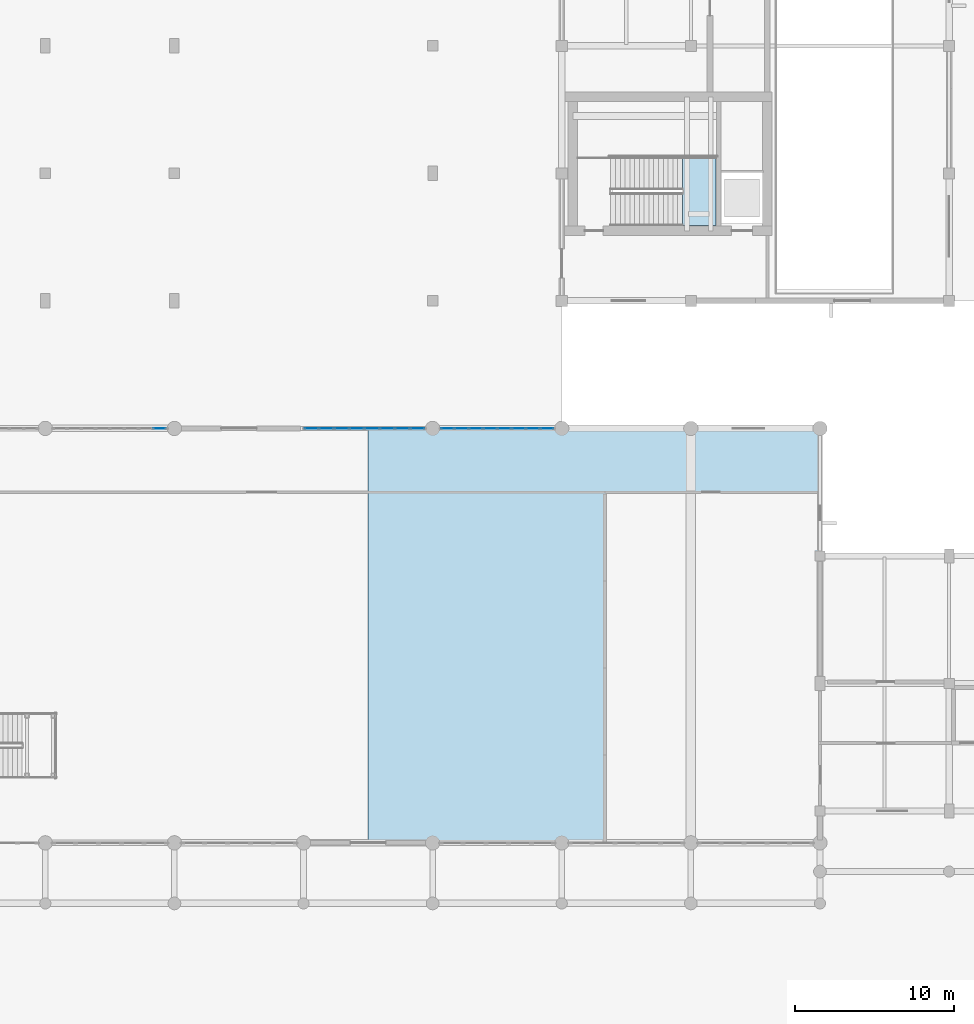
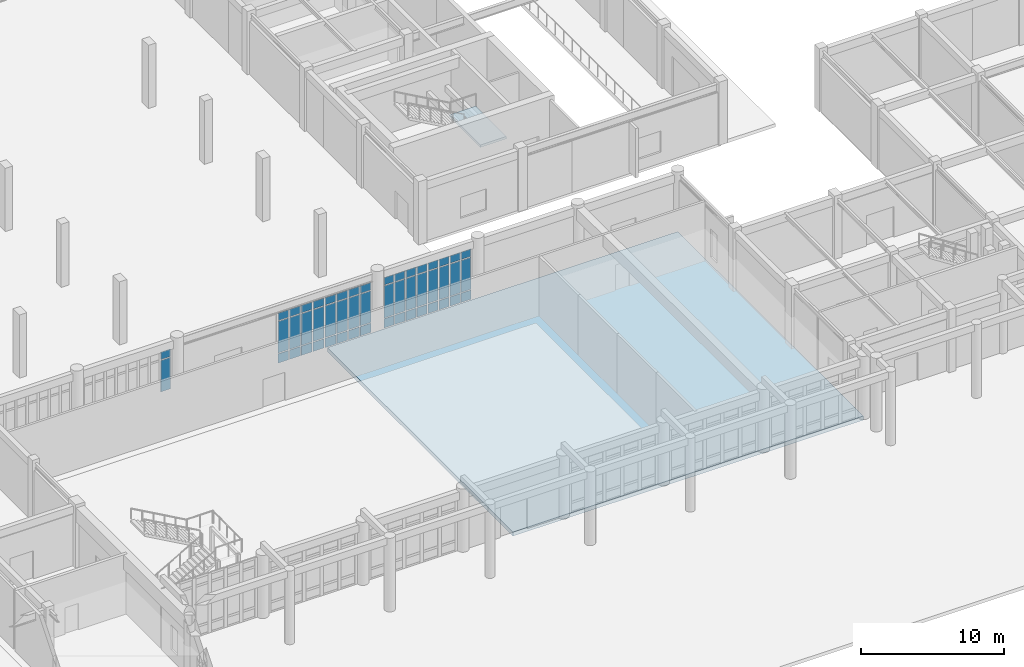
# One storey, part 33 of 62: 50 plates, 2 slabs, 4 elements without a shape of their own.
"""IFC4 building model written with IfcOpenShell, lengths in metres."""

from ifc_helpers import new_model, si_unit, direction, frame, origin, origin_2d, place, context, subcontext, project, spatial, polyline, rectangle, outline, extrude, material, layer, layer_set, type_object, element, aggregate, save


model = new_model("IFC4")

# Units and contexts
model_context = context("Model", 3, precision=1e-05, world=origin(), true_north=direction((0.0, 1.0)))
body_context = subcontext(model_context, "Body", "Model", "MODEL_VIEW")
ifc_project = project(units=[si_unit("LENGTHUNIT", "METRE"), si_unit("AREAUNIT", "SQUARE_METRE"), si_unit("VOLUMEUNIT", "CUBIC_METRE"), si_unit("PLANEANGLEUNIT", "RADIAN"), si_unit("MASSUNIT", "GRAM", prefix="KILO")], contexts=[model_context])

# Site, building, storey
site_placement = place(None, origin())
site = spatial("IfcSite", under=ifc_project, at=site_placement, CompositionType="ELEMENT")
building_placement = place(site_placement, origin())
building = spatial("IfcBuilding", under=site, at=building_placement, Name="Tarnveldt Square Police Headquarters", CompositionType="ELEMENT")
storey_placement = place(building_placement, origin())
storey = spatial("IfcBuildingStorey", under=building, at=storey_placement, Name="L00", CompositionType="ELEMENT", Elevation=0.0)

# Curtain wall, plates
ifc_material_1 = material(Name="Triple-glazed low-e laminated vision glass", Category="glass")
curtain_wall_type_1 = type_object("IfcCurtainWallType", Name="CW-CT-717x441", PredefinedType="USERDEFINED", material=ifc_material_1)
curtain_wall_1_placement = place(storey_placement, origin())
curtain_wall_1 = element("IfcCurtainWall", 1, at=curtain_wall_1_placement, inside=storey, type_object=curtain_wall_type_1, Name="L00 Curtain Wall CW-L00-015", ObjectType="GLAZED CURTAIN WALL", PredefinedType="USERDEFINED")
ifc_layer_1 = layer(ifc_material_1, 0.028076171875)
ifc_layer_set_1 = layer_set([ifc_layer_1], Name="Triple-glazed low-e laminated vision glass")
plate_type = type_object("IfcPlateType", Name="CWP-VIS-28", PredefinedType="CURTAIN_PANEL", material=ifc_layer_set_1)
plate_1_placement = place(storey_placement, frame((80.068115234375, 48.0, 0.9375), z_axis=(0.0, 0.0, 1.0), x_axis=(1.0, 0.0, 0.0)))
plate_1 = element("IfcPlate", 2, at=plate_1_placement, type_object=plate_type, Name="CW-CT07 panel 8.2", PredefinedType="CURTAIN_PANEL", context=body_context, shape_type="SweptSolid", body=[
    extrude(rectangle(XDim=0.78369140625, YDim=0.028076171875, at=origin_2d()), origin(), (0.0, 0.0, 1.0), 2.68701171875),
])
plate_2_placement = place(storey_placement, frame((80.068115234375, 48.0, 3.69970703125), z_axis=(0.0, 0.0, 1.0), x_axis=(1.0, 0.0, 0.0)))
plate_2 = element("IfcPlate", 3, at=plate_2_placement, type_object=plate_type, Name="CW-CT07 panel 8.3", PredefinedType="CURTAIN_PANEL", context=body_context, shape_type="SweptSolid", body=[
    extrude(rectangle(XDim=0.78369140625, YDim=0.028076171875, at=origin_2d()), origin(), (0.0, 0.0, 1.0), 0.637451171875),
])
aggregate(curtain_wall_1, [plate_1, plate_2])

curtain_wall_type_2 = type_object("IfcCurtainWallType", Name="CW-CT-764x442", PredefinedType="USERDEFINED", material=ifc_material_1)
curtain_wall_2_placement = place(storey_placement, origin())
curtain_wall_2 = element("IfcCurtainWall", 4, at=curtain_wall_2_placement, inside=storey, type_object=curtain_wall_type_2, Name="L00 Curtain Wall CW-L00-016", ObjectType="GLAZED CURTAIN WALL", PredefinedType="USERDEFINED")
plate_3_placement = place(storey_placement, frame((89.595947265625, 48.0, 0.074951171875), z_axis=(0.0, 0.0, 1.0), x_axis=(1.0, 0.0, 0.0)))
plate_3 = element("IfcPlate", 5, at=plate_3_placement, type_object=plate_type, Name="CW-CT08 panel 1.1", PredefinedType="CURTAIN_PANEL", context=body_context, shape_type="SweptSolid", body=[
    extrude(rectangle(XDim=0.841796875, YDim=0.028076171875, at=origin_2d()), origin(), (0.0, 0.0, 1.0), 0.78759765625),
])
plate_4_placement = place(storey_placement, frame((89.595947265625, 48.0, 0.9375), z_axis=(0.0, 0.0, 1.0), x_axis=(1.0, 0.0, 0.0)))
plate_4 = element("IfcPlate", 6, at=plate_4_placement, type_object=plate_type, Name="CW-CT08 panel 1.2", PredefinedType="CURTAIN_PANEL", context=body_context, shape_type="SweptSolid", body=[
    extrude(rectangle(XDim=0.841796875, YDim=0.028076171875, at=origin_2d()), origin(), (0.0, 0.0, 1.0), 2.698974609375),
])
plate_5_placement = place(storey_placement, frame((89.595947265625, 48.0, 3.71142578125), z_axis=(0.0, 0.0, 1.0), x_axis=(1.0, 0.0, 0.0)))
plate_5 = element("IfcPlate", 7, at=plate_5_placement, type_object=plate_type, Name="CW-CT08 panel 1.3", PredefinedType="CURTAIN_PANEL", context=body_context, shape_type="SweptSolid", body=[
    extrude(rectangle(XDim=0.841796875, YDim=0.028076171875, at=origin_2d()), origin(), (0.0, 0.0, 1.0), 0.637451171875),
])
plate_6_placement = place(storey_placement, frame((90.531494140625, 48.0, 0.074951171875), z_axis=(0.0, 0.0, 1.0), x_axis=(1.0, 0.0, 0.0)))
plate_6 = element("IfcPlate", 8, at=plate_6_placement, type_object=plate_type, Name="CW-CT08 panel 2.1", PredefinedType="CURTAIN_PANEL", context=body_context, shape_type="SweptSolid", body=[
    extrude(rectangle(XDim=0.87939453125, YDim=0.028076171875, at=origin_2d()), origin(), (0.0, 0.0, 1.0), 0.78759765625),
])
plate_7_placement = place(storey_placement, frame((90.531494140625, 48.0, 0.9375), z_axis=(0.0, 0.0, 1.0), x_axis=(1.0, 0.0, 0.0)))
plate_7 = element("IfcPlate", 9, at=plate_7_placement, type_object=plate_type, Name="CW-CT08 panel 2.2", PredefinedType="CURTAIN_PANEL", context=body_context, shape_type="SweptSolid", body=[
    extrude(rectangle(XDim=0.87939453125, YDim=0.028076171875, at=origin_2d()), origin(), (0.0, 0.0, 1.0), 2.698974609375),
])
plate_8_placement = place(storey_placement, frame((90.531494140625, 48.0, 3.71142578125), z_axis=(0.0, 0.0, 1.0), x_axis=(1.0, 0.0, 0.0)))
plate_8 = element("IfcPlate", 10, at=plate_8_placement, type_object=plate_type, Name="CW-CT08 panel 2.3", PredefinedType="CURTAIN_PANEL", context=body_context, shape_type="SweptSolid", body=[
    extrude(rectangle(XDim=0.87939453125, YDim=0.028076171875, at=origin_2d()), origin(), (0.0, 0.0, 1.0), 0.637451171875),
])
plate_9_placement = place(storey_placement, frame((91.48583984375, 48.0, 0.074951171875), z_axis=(0.0, 0.0, 1.0), x_axis=(1.0, 0.0, 0.0)))
plate_9 = element("IfcPlate", 11, at=plate_9_placement, type_object=plate_type, Name="CW-CT08 panel 3.1", PredefinedType="CURTAIN_PANEL", context=body_context, shape_type="SweptSolid", body=[
    extrude(rectangle(XDim=0.87939453125, YDim=0.028076171875, at=origin_2d()), origin(), (0.0, 0.0, 1.0), 0.78759765625),
])
plate_10_placement = place(storey_placement, frame((91.48583984375, 48.0, 0.9375), z_axis=(0.0, 0.0, 1.0), x_axis=(1.0, 0.0, 0.0)))
plate_10 = element("IfcPlate", 12, at=plate_10_placement, type_object=plate_type, Name="CW-CT08 panel 3.2", PredefinedType="CURTAIN_PANEL", context=body_context, shape_type="SweptSolid", body=[
    extrude(rectangle(XDim=0.87939453125, YDim=0.028076171875, at=origin_2d()), origin(), (0.0, 0.0, 1.0), 2.698974609375),
])
plate_11_placement = place(storey_placement, frame((91.48583984375, 48.0, 3.71142578125), z_axis=(0.0, 0.0, 1.0), x_axis=(1.0, 0.0, 0.0)))
plate_11 = element("IfcPlate", 13, at=plate_11_placement, type_object=plate_type, Name="CW-CT08 panel 3.3", PredefinedType="CURTAIN_PANEL", context=body_context, shape_type="SweptSolid", body=[
    extrude(rectangle(XDim=0.87939453125, YDim=0.028076171875, at=origin_2d()), origin(), (0.0, 0.0, 1.0), 0.637451171875),
])
plate_12_placement = place(storey_placement, frame((92.4404296875, 48.0, 0.074951171875), z_axis=(0.0, 0.0, 1.0), x_axis=(1.0, 0.0, 0.0)))
plate_12 = element("IfcPlate", 14, at=plate_12_placement, type_object=plate_type, Name="CW-CT08 panel 4.1", PredefinedType="CURTAIN_PANEL", context=body_context, shape_type="SweptSolid", body=[
    extrude(rectangle(XDim=0.87939453125, YDim=0.028076171875, at=origin_2d()), origin(), (0.0, 0.0, 1.0), 0.78759765625),
])
plate_13_placement = place(storey_placement, frame((92.4404296875, 48.0, 0.9375), z_axis=(0.0, 0.0, 1.0), x_axis=(1.0, 0.0, 0.0)))
plate_13 = element("IfcPlate", 15, at=plate_13_placement, type_object=plate_type, Name="CW-CT08 panel 4.2", PredefinedType="CURTAIN_PANEL", context=body_context, shape_type="SweptSolid", body=[
    extrude(rectangle(XDim=0.87939453125, YDim=0.028076171875, at=origin_2d()), origin(), (0.0, 0.0, 1.0), 2.698974609375),
])
plate_14_placement = place(storey_placement, frame((92.4404296875, 48.0, 3.71142578125), z_axis=(0.0, 0.0, 1.0), x_axis=(1.0, 0.0, 0.0)))
plate_14 = element("IfcPlate", 16, at=plate_14_placement, type_object=plate_type, Name="CW-CT08 panel 4.3", PredefinedType="CURTAIN_PANEL", context=body_context, shape_type="SweptSolid", body=[
    extrude(rectangle(XDim=0.87939453125, YDim=0.028076171875, at=origin_2d()), origin(), (0.0, 0.0, 1.0), 0.637451171875),
])
plate_15_placement = place(storey_placement, frame((93.394775390625, 48.0, 0.074951171875), z_axis=(0.0, 0.0, 1.0), x_axis=(1.0, 0.0, 0.0)))
plate_15 = element("IfcPlate", 17, at=plate_15_placement, type_object=plate_type, Name="CW-CT08 panel 5.1", PredefinedType="CURTAIN_PANEL", context=body_context, shape_type="SweptSolid", body=[
    extrude(rectangle(XDim=0.87939453125, YDim=0.028076171875, at=origin_2d()), origin(), (0.0, 0.0, 1.0), 0.78759765625),
])
plate_16_placement = place(storey_placement, frame((93.394775390625, 48.0, 0.9375), z_axis=(0.0, 0.0, 1.0), x_axis=(1.0, 0.0, 0.0)))
plate_16 = element("IfcPlate", 18, at=plate_16_placement, type_object=plate_type, Name="CW-CT08 panel 5.2", PredefinedType="CURTAIN_PANEL", context=body_context, shape_type="SweptSolid", body=[
    extrude(rectangle(XDim=0.87939453125, YDim=0.028076171875, at=origin_2d()), origin(), (0.0, 0.0, 1.0), 2.698974609375),
])
plate_17_placement = place(storey_placement, frame((93.394775390625, 48.0, 3.71142578125), z_axis=(0.0, 0.0, 1.0), x_axis=(1.0, 0.0, 0.0)))
plate_17 = element("IfcPlate", 19, at=plate_17_placement, type_object=plate_type, Name="CW-CT08 panel 5.3", PredefinedType="CURTAIN_PANEL", context=body_context, shape_type="SweptSolid", body=[
    extrude(rectangle(XDim=0.87939453125, YDim=0.028076171875, at=origin_2d()), origin(), (0.0, 0.0, 1.0), 0.637451171875),
])
plate_18_placement = place(storey_placement, frame((94.34912109375, 48.0, 0.074951171875), z_axis=(0.0, 0.0, 1.0), x_axis=(1.0, 0.0, 0.0)))
plate_18 = element("IfcPlate", 20, at=plate_18_placement, type_object=plate_type, Name="CW-CT08 panel 6.1", PredefinedType="CURTAIN_PANEL", context=body_context, shape_type="SweptSolid", body=[
    extrude(rectangle(XDim=0.87939453125, YDim=0.028076171875, at=origin_2d()), origin(), (0.0, 0.0, 1.0), 0.78759765625),
])
plate_19_placement = place(storey_placement, frame((94.34912109375, 48.0, 0.9375), z_axis=(0.0, 0.0, 1.0), x_axis=(1.0, 0.0, 0.0)))
plate_19 = element("IfcPlate", 21, at=plate_19_placement, type_object=plate_type, Name="CW-CT08 panel 6.2", PredefinedType="CURTAIN_PANEL", context=body_context, shape_type="SweptSolid", body=[
    extrude(rectangle(XDim=0.87939453125, YDim=0.028076171875, at=origin_2d()), origin(), (0.0, 0.0, 1.0), 2.698974609375),
])
plate_20_placement = place(storey_placement, frame((94.34912109375, 48.0, 3.71142578125), z_axis=(0.0, 0.0, 1.0), x_axis=(1.0, 0.0, 0.0)))
plate_20 = element("IfcPlate", 22, at=plate_20_placement, type_object=plate_type, Name="CW-CT08 panel 6.3", PredefinedType="CURTAIN_PANEL", context=body_context, shape_type="SweptSolid", body=[
    extrude(rectangle(XDim=0.87939453125, YDim=0.028076171875, at=origin_2d()), origin(), (0.0, 0.0, 1.0), 0.637451171875),
])
plate_21_placement = place(storey_placement, frame((95.303466796875, 48.0, 0.074951171875), z_axis=(0.0, 0.0, 1.0), x_axis=(1.0, 0.0, 0.0)))
plate_21 = element("IfcPlate", 23, at=plate_21_placement, type_object=plate_type, Name="CW-CT08 panel 7.1", PredefinedType="CURTAIN_PANEL", context=body_context, shape_type="SweptSolid", body=[
    extrude(rectangle(XDim=0.87939453125, YDim=0.028076171875, at=origin_2d()), origin(), (0.0, 0.0, 1.0), 0.78759765625),
])
plate_22_placement = place(storey_placement, frame((95.303466796875, 48.0, 0.9375), z_axis=(0.0, 0.0, 1.0), x_axis=(1.0, 0.0, 0.0)))
plate_22 = element("IfcPlate", 24, at=plate_22_placement, type_object=plate_type, Name="CW-CT08 panel 7.2", PredefinedType="CURTAIN_PANEL", context=body_context, shape_type="SweptSolid", body=[
    extrude(rectangle(XDim=0.87939453125, YDim=0.028076171875, at=origin_2d()), origin(), (0.0, 0.0, 1.0), 2.698974609375),
])
plate_23_placement = place(storey_placement, frame((95.303466796875, 48.0, 3.71142578125), z_axis=(0.0, 0.0, 1.0), x_axis=(1.0, 0.0, 0.0)))
plate_23 = element("IfcPlate", 25, at=plate_23_placement, type_object=plate_type, Name="CW-CT08 panel 7.3", PredefinedType="CURTAIN_PANEL", context=body_context, shape_type="SweptSolid", body=[
    extrude(rectangle(XDim=0.87939453125, YDim=0.028076171875, at=origin_2d()), origin(), (0.0, 0.0, 1.0), 0.637451171875),
])
plate_24_placement = place(storey_placement, frame((96.239013671875, 48.0, 0.074951171875), z_axis=(0.0, 0.0, 1.0), x_axis=(1.0, 0.0, 0.0)))
plate_24 = element("IfcPlate", 26, at=plate_24_placement, type_object=plate_type, Name="CW-CT08 panel 8.1", PredefinedType="CURTAIN_PANEL", context=body_context, shape_type="SweptSolid", body=[
    extrude(rectangle(XDim=0.841796875, YDim=0.028076171875, at=origin_2d()), origin(), (0.0, 0.0, 1.0), 0.78759765625),
])
plate_25_placement = place(storey_placement, frame((96.239013671875, 48.0, 0.9375), z_axis=(0.0, 0.0, 1.0), x_axis=(1.0, 0.0, 0.0)))
plate_25 = element("IfcPlate", 27, at=plate_25_placement, type_object=plate_type, Name="CW-CT08 panel 8.2", PredefinedType="CURTAIN_PANEL", context=body_context, shape_type="SweptSolid", body=[
    extrude(rectangle(XDim=0.841796875, YDim=0.028076171875, at=origin_2d()), origin(), (0.0, 0.0, 1.0), 2.698974609375),
])
plate_26_placement = place(storey_placement, frame((96.239013671875, 48.0, 3.71142578125), z_axis=(0.0, 0.0, 1.0), x_axis=(1.0, 0.0, 0.0)))
plate_26 = element("IfcPlate", 28, at=plate_26_placement, type_object=plate_type, Name="CW-CT08 panel 8.3", PredefinedType="CURTAIN_PANEL", context=body_context, shape_type="SweptSolid", body=[
    extrude(rectangle(XDim=0.841796875, YDim=0.028076171875, at=origin_2d()), origin(), (0.0, 0.0, 1.0), 0.637451171875),
])
aggregate(curtain_wall_2, [plate_3, plate_4, plate_5, plate_6, plate_7, plate_8, plate_9, plate_10, plate_11, plate_12, plate_13, plate_14, plate_15, plate_16, plate_17, plate_18, plate_19, plate_20, plate_21, plate_22, plate_23, plate_24, plate_25, plate_26])

curtain_wall_type_3 = type_object("IfcCurtainWallType", Name="CW-CT-717x446", PredefinedType="USERDEFINED", material=ifc_material_1)
curtain_wall_3_placement = place(storey_placement, origin())
curtain_wall_3 = element("IfcCurtainWall", 29, at=curtain_wall_3_placement, inside=storey, type_object=curtain_wall_type_3, Name="L00 Curtain Wall CW-L00-017", ObjectType="GLAZED CURTAIN WALL", PredefinedType="USERDEFINED")
plate_27_placement = place(storey_placement, frame((98.1318359375, 48.0, 0.074951171875), z_axis=(0.0, 0.0, 1.0), x_axis=(1.0, 0.0, 0.0)))
plate_27 = element("IfcPlate", 30, at=plate_27_placement, type_object=plate_type, Name="CW-CT06 panel 1.1", PredefinedType="CURTAIN_PANEL", context=body_context, shape_type="SweptSolid", body=[
    extrude(rectangle(XDim=0.78369140625, YDim=0.028076171875, at=origin_2d()), origin(), (0.0, 0.0, 1.0), 0.78759765625),
])
plate_28_placement = place(storey_placement, frame((98.1318359375, 48.0, 0.9375), z_axis=(0.0, 0.0, 1.0), x_axis=(1.0, 0.0, 0.0)))
plate_28 = element("IfcPlate", 31, at=plate_28_placement, type_object=plate_type, Name="CW-CT06 panel 1.2", PredefinedType="CURTAIN_PANEL", context=body_context, shape_type="SweptSolid", body=[
    extrude(rectangle(XDim=0.78369140625, YDim=0.028076171875, at=origin_2d()), origin(), (0.0, 0.0, 1.0), 2.737060546875),
])
plate_29_placement = place(storey_placement, frame((98.1318359375, 48.0, 3.74951171875), z_axis=(0.0, 0.0, 1.0), x_axis=(1.0, 0.0, 0.0)))
plate_29 = element("IfcPlate", 32, at=plate_29_placement, type_object=plate_type, Name="CW-CT06 panel 1.3", PredefinedType="CURTAIN_PANEL", context=body_context, shape_type="SweptSolid", body=[
    extrude(rectangle(XDim=0.78369140625, YDim=0.028076171875, at=origin_2d()), origin(), (0.0, 0.0, 1.0), 0.637451171875),
])
plate_30_placement = place(storey_placement, frame((99.00927734375, 48.0, 0.074951171875), z_axis=(0.0, 0.0, 1.0), x_axis=(1.0, 0.0, 0.0)))
plate_30 = element("IfcPlate", 33, at=plate_30_placement, type_object=plate_type, Name="CW-CT06 panel 2.1", PredefinedType="CURTAIN_PANEL", context=body_context, shape_type="SweptSolid", body=[
    extrude(rectangle(XDim=0.8212890625, YDim=0.028076171875, at=origin_2d()), origin(), (0.0, 0.0, 1.0), 0.78759765625),
])
plate_31_placement = place(storey_placement, frame((99.00927734375, 48.0, 0.9375), z_axis=(0.0, 0.0, 1.0), x_axis=(1.0, 0.0, 0.0)))
plate_31 = element("IfcPlate", 34, at=plate_31_placement, type_object=plate_type, Name="CW-CT06 panel 2.2", PredefinedType="CURTAIN_PANEL", context=body_context, shape_type="SweptSolid", body=[
    extrude(rectangle(XDim=0.8212890625, YDim=0.028076171875, at=origin_2d()), origin(), (0.0, 0.0, 1.0), 2.737060546875),
])
plate_32_placement = place(storey_placement, frame((99.00927734375, 48.0, 3.74951171875), z_axis=(0.0, 0.0, 1.0), x_axis=(1.0, 0.0, 0.0)))
plate_32 = element("IfcPlate", 35, at=plate_32_placement, type_object=plate_type, Name="CW-CT06 panel 2.3", PredefinedType="CURTAIN_PANEL", context=body_context, shape_type="SweptSolid", body=[
    extrude(rectangle(XDim=0.8212890625, YDim=0.028076171875, at=origin_2d()), origin(), (0.0, 0.0, 1.0), 0.637451171875),
])
plate_33_placement = place(storey_placement, frame((99.905517578125, 48.0, 0.074951171875), z_axis=(0.0, 0.0, 1.0), x_axis=(1.0, 0.0, 0.0)))
plate_33 = element("IfcPlate", 36, at=plate_33_placement, type_object=plate_type, Name="CW-CT06 panel 3.1", PredefinedType="CURTAIN_PANEL", context=body_context, shape_type="SweptSolid", body=[
    extrude(rectangle(XDim=0.8212890625, YDim=0.028076171875, at=origin_2d()), origin(), (0.0, 0.0, 1.0), 0.78759765625),
])
plate_34_placement = place(storey_placement, frame((99.905517578125, 48.0, 0.9375), z_axis=(0.0, 0.0, 1.0), x_axis=(1.0, 0.0, 0.0)))
plate_34 = element("IfcPlate", 37, at=plate_34_placement, type_object=plate_type, Name="CW-CT06 panel 3.2", PredefinedType="CURTAIN_PANEL", context=body_context, shape_type="SweptSolid", body=[
    extrude(rectangle(XDim=0.8212890625, YDim=0.028076171875, at=origin_2d()), origin(), (0.0, 0.0, 1.0), 2.737060546875),
])
plate_35_placement = place(storey_placement, frame((99.905517578125, 48.0, 3.74951171875), z_axis=(0.0, 0.0, 1.0), x_axis=(1.0, 0.0, 0.0)))
plate_35 = element("IfcPlate", 38, at=plate_35_placement, type_object=plate_type, Name="CW-CT06 panel 3.3", PredefinedType="CURTAIN_PANEL", context=body_context, shape_type="SweptSolid", body=[
    extrude(rectangle(XDim=0.8212890625, YDim=0.028076171875, at=origin_2d()), origin(), (0.0, 0.0, 1.0), 0.637451171875),
])
plate_36_placement = place(storey_placement, frame((100.8017578125, 48.0, 0.074951171875), z_axis=(0.0, 0.0, 1.0), x_axis=(1.0, 0.0, 0.0)))
plate_36 = element("IfcPlate", 39, at=plate_36_placement, type_object=plate_type, Name="CW-CT06 panel 4.1", PredefinedType="CURTAIN_PANEL", context=body_context, shape_type="SweptSolid", body=[
    extrude(rectangle(XDim=0.8212890625, YDim=0.028076171875, at=origin_2d()), origin(), (0.0, 0.0, 1.0), 0.78759765625),
])
plate_37_placement = place(storey_placement, frame((100.8017578125, 48.0, 0.9375), z_axis=(0.0, 0.0, 1.0), x_axis=(1.0, 0.0, 0.0)))
plate_37 = element("IfcPlate", 40, at=plate_37_placement, type_object=plate_type, Name="CW-CT06 panel 4.2", PredefinedType="CURTAIN_PANEL", context=body_context, shape_type="SweptSolid", body=[
    extrude(rectangle(XDim=0.8212890625, YDim=0.028076171875, at=origin_2d()), origin(), (0.0, 0.0, 1.0), 2.737060546875),
])
plate_38_placement = place(storey_placement, frame((100.8017578125, 48.0, 3.74951171875), z_axis=(0.0, 0.0, 1.0), x_axis=(1.0, 0.0, 0.0)))
plate_38 = element("IfcPlate", 41, at=plate_38_placement, type_object=plate_type, Name="CW-CT06 panel 4.3", PredefinedType="CURTAIN_PANEL", context=body_context, shape_type="SweptSolid", body=[
    extrude(rectangle(XDim=0.8212890625, YDim=0.028076171875, at=origin_2d()), origin(), (0.0, 0.0, 1.0), 0.637451171875),
])
plate_39_placement = place(storey_placement, frame((101.6982421875, 48.0, 0.074951171875), z_axis=(0.0, 0.0, 1.0), x_axis=(1.0, 0.0, 0.0)))
plate_39 = element("IfcPlate", 42, at=plate_39_placement, type_object=plate_type, Name="CW-CT06 panel 5.1", PredefinedType="CURTAIN_PANEL", context=body_context, shape_type="SweptSolid", body=[
    extrude(rectangle(XDim=0.8212890625, YDim=0.028076171875, at=origin_2d()), origin(), (0.0, 0.0, 1.0), 0.78759765625),
])
plate_40_placement = place(storey_placement, frame((101.6982421875, 48.0, 0.9375), z_axis=(0.0, 0.0, 1.0), x_axis=(1.0, 0.0, 0.0)))
plate_40 = element("IfcPlate", 43, at=plate_40_placement, type_object=plate_type, Name="CW-CT06 panel 5.2", PredefinedType="CURTAIN_PANEL", context=body_context, shape_type="SweptSolid", body=[
    extrude(rectangle(XDim=0.8212890625, YDim=0.028076171875, at=origin_2d()), origin(), (0.0, 0.0, 1.0), 2.737060546875),
])
plate_41_placement = place(storey_placement, frame((101.6982421875, 48.0, 3.74951171875), z_axis=(0.0, 0.0, 1.0), x_axis=(1.0, 0.0, 0.0)))
plate_41 = element("IfcPlate", 44, at=plate_41_placement, type_object=plate_type, Name="CW-CT06 panel 5.3", PredefinedType="CURTAIN_PANEL", context=body_context, shape_type="SweptSolid", body=[
    extrude(rectangle(XDim=0.8212890625, YDim=0.028076171875, at=origin_2d()), origin(), (0.0, 0.0, 1.0), 0.637451171875),
])
plate_42_placement = place(storey_placement, frame((102.594482421875, 48.0, 0.074951171875), z_axis=(0.0, 0.0, 1.0), x_axis=(1.0, 0.0, 0.0)))
plate_42 = element("IfcPlate", 45, at=plate_42_placement, type_object=plate_type, Name="CW-CT06 panel 6.1", PredefinedType="CURTAIN_PANEL", context=body_context, shape_type="SweptSolid", body=[
    extrude(rectangle(XDim=0.8212890625, YDim=0.028076171875, at=origin_2d()), origin(), (0.0, 0.0, 1.0), 0.78759765625),
])
plate_43_placement = place(storey_placement, frame((102.594482421875, 48.0, 0.9375), z_axis=(0.0, 0.0, 1.0), x_axis=(1.0, 0.0, 0.0)))
plate_43 = element("IfcPlate", 46, at=plate_43_placement, type_object=plate_type, Name="CW-CT06 panel 6.2", PredefinedType="CURTAIN_PANEL", context=body_context, shape_type="SweptSolid", body=[
    extrude(rectangle(XDim=0.8212890625, YDim=0.028076171875, at=origin_2d()), origin(), (0.0, 0.0, 1.0), 2.737060546875),
])
plate_44_placement = place(storey_placement, frame((102.594482421875, 48.0, 3.74951171875), z_axis=(0.0, 0.0, 1.0), x_axis=(1.0, 0.0, 0.0)))
plate_44 = element("IfcPlate", 47, at=plate_44_placement, type_object=plate_type, Name="CW-CT06 panel 6.3", PredefinedType="CURTAIN_PANEL", context=body_context, shape_type="SweptSolid", body=[
    extrude(rectangle(XDim=0.8212890625, YDim=0.028076171875, at=origin_2d()), origin(), (0.0, 0.0, 1.0), 0.637451171875),
])
plate_45_placement = place(storey_placement, frame((103.49072265625, 48.0, 0.074951171875), z_axis=(0.0, 0.0, 1.0), x_axis=(1.0, 0.0, 0.0)))
plate_45 = element("IfcPlate", 48, at=plate_45_placement, type_object=plate_type, Name="CW-CT06 panel 7.1", PredefinedType="CURTAIN_PANEL", context=body_context, shape_type="SweptSolid", body=[
    extrude(rectangle(XDim=0.8212890625, YDim=0.028076171875, at=origin_2d()), origin(), (0.0, 0.0, 1.0), 0.78759765625),
])
plate_46_placement = place(storey_placement, frame((103.49072265625, 48.0, 0.9375), z_axis=(0.0, 0.0, 1.0), x_axis=(1.0, 0.0, 0.0)))
plate_46 = element("IfcPlate", 49, at=plate_46_placement, type_object=plate_type, Name="CW-CT06 panel 7.2", PredefinedType="CURTAIN_PANEL", context=body_context, shape_type="SweptSolid", body=[
    extrude(rectangle(XDim=0.8212890625, YDim=0.028076171875, at=origin_2d()), origin(), (0.0, 0.0, 1.0), 2.737060546875),
])
plate_47_placement = place(storey_placement, frame((103.49072265625, 48.0, 3.74951171875), z_axis=(0.0, 0.0, 1.0), x_axis=(1.0, 0.0, 0.0)))
plate_47 = element("IfcPlate", 50, at=plate_47_placement, type_object=plate_type, Name="CW-CT06 panel 7.3", PredefinedType="CURTAIN_PANEL", context=body_context, shape_type="SweptSolid", body=[
    extrude(rectangle(XDim=0.8212890625, YDim=0.028076171875, at=origin_2d()), origin(), (0.0, 0.0, 1.0), 0.637451171875),
])
plate_48_placement = place(storey_placement, frame((104.3681640625, 48.0, 0.074951171875), z_axis=(0.0, 0.0, 1.0), x_axis=(1.0, 0.0, 0.0)))
plate_48 = element("IfcPlate", 51, at=plate_48_placement, type_object=plate_type, Name="CW-CT06 panel 8.1", PredefinedType="CURTAIN_PANEL", context=body_context, shape_type="SweptSolid", body=[
    extrude(rectangle(XDim=0.78369140625, YDim=0.028076171875, at=origin_2d()), origin(), (0.0, 0.0, 1.0), 0.78759765625),
])
plate_49_placement = place(storey_placement, frame((104.3681640625, 48.0, 0.9375), z_axis=(0.0, 0.0, 1.0), x_axis=(1.0, 0.0, 0.0)))
plate_49 = element("IfcPlate", 52, at=plate_49_placement, type_object=plate_type, Name="CW-CT06 panel 8.2", PredefinedType="CURTAIN_PANEL", context=body_context, shape_type="SweptSolid", body=[
    extrude(rectangle(XDim=0.78369140625, YDim=0.028076171875, at=origin_2d()), origin(), (0.0, 0.0, 1.0), 2.737060546875),
])
plate_50_placement = place(storey_placement, frame((104.3681640625, 48.0, 3.74951171875), z_axis=(0.0, 0.0, 1.0), x_axis=(1.0, 0.0, 0.0)))
plate_50 = element("IfcPlate", 53, at=plate_50_placement, type_object=plate_type, Name="CW-CT06 panel 8.3", PredefinedType="CURTAIN_PANEL", context=body_context, shape_type="SweptSolid", body=[
    extrude(rectangle(XDim=0.78369140625, YDim=0.028076171875, at=origin_2d()), origin(), (0.0, 0.0, 1.0), 0.637451171875),
])
aggregate(curtain_wall_3, [plate_27, plate_28, plate_29, plate_30, plate_31, plate_32, plate_33, plate_34, plate_35, plate_36, plate_37, plate_38, plate_39, plate_40, plate_41, plate_42, plate_43, plate_44, plate_45, plate_46, plate_47, plate_48, plate_49, plate_50])

# Slab
ifc_material_2 = material(Name="Concrete 40 MPa", Category="concrete")
ifc_layer_2 = layer(ifc_material_2, 0.35009765625)
ifc_layer_set_2 = layer_set([ifc_layer_2], Name="Concrete 40 MPa")
slab_type_1 = type_object("IfcSlabType", Name="SL-L00-350", PredefinedType="FLOOR", material=ifc_layer_set_2)
slab_1_placement = place(storey_placement, frame((0.0, 0.0, -0.35009765625)))
element("IfcSlab", 54, at=slab_1_placement, inside=storey, type_object=slab_type_1, Name="L00 Structural Floor Slab L00-V1-2", PredefinedType="FLOOR", context=body_context, shape_type="SweptSolid", body=[
    extrude(outline(polyline([(121.5, 22.0), (93.14990234375, 22.0), (93.14990234375, 48.0), (121.5, 48.0), (121.5, 22.0)])), origin(), (0.0, 0.0, 1.0), 0.35009765625),
])

# Stair, slab
stair_type = type_object("IfcStairType", Name="STR-HT-48B", PredefinedType="HALF_TURN_STAIR", material=ifc_material_2)
stair_placement = place(storey_placement, origin())
stair = element("IfcStair", 55, at=stair_placement, inside=storey, type_object=stair_type, Name="L00 Core K4 Exit Stair ST4", PredefinedType="HALF_TURN_STAIR")
ifc_layer_3 = layer(ifc_material_2, 0.179931640625)
ifc_layer_set_3 = layer_set([ifc_layer_3], Name="Concrete 40 MPa")
slab_type_2 = type_object("IfcSlabType", Name="SL-LND-180", PredefinedType="LANDING", material=ifc_layer_set_3)
slab_2_placement = place(storey_placement, frame((0.0, 0.0, 2.5)))
slab_2 = element("IfcSlab", 56, at=slab_2_placement, type_object=slab_type_2, Name="ST4 landing 1", PredefinedType="LANDING", context=body_context, shape_type="SweptSolid", body=[
    extrude(outline(polyline([(112.8701171875, 60.719970703125), (114.969970703125, 60.719970703125), (114.969970703125, 65.02001953125), (112.8701171875, 65.02001953125), (112.8701171875, 60.719970703125)])), origin(), (0.0, 0.0, 1.0), 0.199951171875),
])
aggregate(stair, [slab_2])

save(model, "model.ifc")
